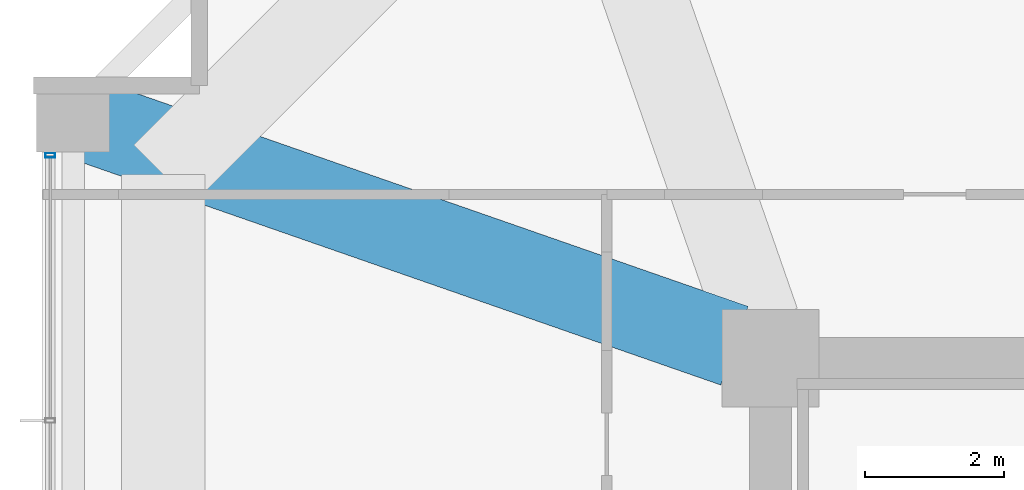
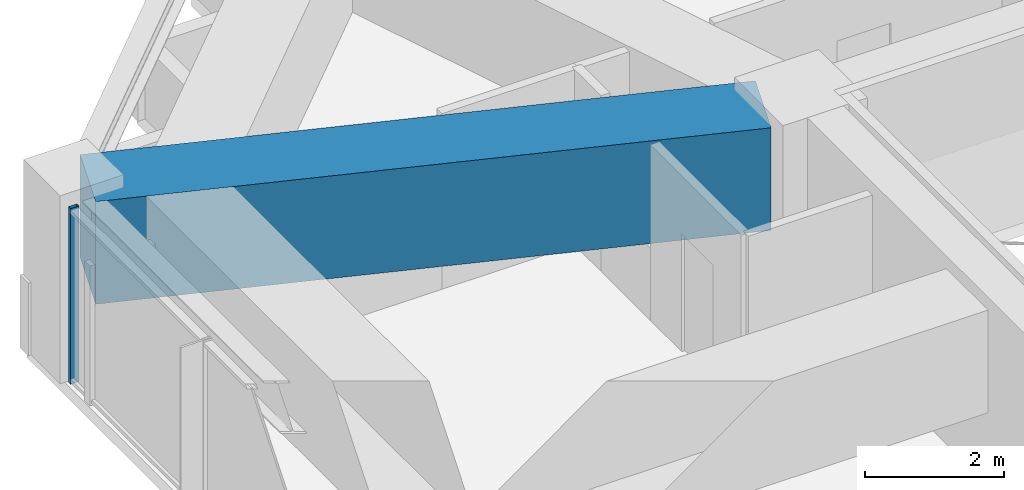
# One storey, part 17 of 34: 1 beam, 1 member, 1 element without a shape of its own.
"""IFC4 building model written with IfcOpenShell, lengths in metres."""

from ifc_helpers import new_model, si_unit, direction, frame, origin, origin_2d, place, context, subcontext, project, spatial, rectangle, hollow_rectangle, extrude, material, material_profile, profile_set, type_object, element, aggregate, save


model = new_model("IFC4")

# Units and contexts
model_context = context("Model", 3, precision=1e-05, world=origin(), true_north=direction((0.0, 1.0)))
body_context = subcontext(model_context, "Body", "Model", "MODEL_VIEW")
ifc_project = project(units=[si_unit("LENGTHUNIT", "METRE"), si_unit("AREAUNIT", "SQUARE_METRE"), si_unit("VOLUMEUNIT", "CUBIC_METRE"), si_unit("PLANEANGLEUNIT", "RADIAN"), si_unit("MASSUNIT", "GRAM", prefix="KILO")], contexts=[model_context])

# Site, building, storey
site_placement = place(None, origin())
site = spatial("IfcSite", under=ifc_project, at=site_placement, CompositionType="ELEMENT")
building_placement = place(site_placement, origin())
building = spatial("IfcBuilding", under=site, at=building_placement, Name="Kolvaren Belvedere", CompositionType="ELEMENT")
storey_placement = place(building_placement, frame((0.0, 0.0, 105.199951171875)))
storey = spatial("IfcBuildingStorey", under=building, at=storey_placement, Name="L30", CompositionType="ELEMENT", Elevation=105.199951171875)

# Beam
ifc_material_1 = material(Name="Concrete C50/60", Category="concrete")
ifc_material_profile_1 = material_profile(ifc_material_1, rectangle(XDim=1.199951171875, YDim=1.800048828125, at=origin_2d()), Name="RC 1200X1800")
ifc_profile_set_1 = profile_set([ifc_material_profile_1], Name="Concrete C50/60")
beam_type = type_object("IfcBeamType", Name="BM-TG-1800", PredefinedType="BEAM", material=ifc_profile_set_1)
beam_placement = place(storey_placement, frame((-10.41943359375, 10.080810546875, 2.179931640625), z_axis=(-0.944371408538, 0.328880894453, 0.0), x_axis=(-0.328880894453, -0.944371408538, 0.0)))
element("IfcBeam", 1, at=beam_placement, inside=storey, type_object=beam_type, Name="L30 Corner Core-to-Perimeter Girder CC4-W4", PredefinedType="BEAM", context=body_context, shape_type="SweptSolid", body=[
    extrude(rectangle(XDim=1.199951171875, YDim=1.800048828125, at=origin_2d()), origin(), (0.0, 0.0, 1.0), 9.882080078125),
])

# Curtain wall, member
ifc_material_2 = material(Name="Anodised pale-metal aluminium AA 6063-T6", Category="aluminium")
curtain_wall_type = type_object("IfcCurtainWallType", Name="CW-Z2-MID", PredefinedType="NOTDEFINED", material=ifc_material_2)
curtain_wall_placement = place(storey_placement, origin())
curtain_wall = element("IfcCurtainWall", 2, at=curtain_wall_placement, inside=storey, type_object=curtain_wall_type, Name="L30 Unitised Curtain Wall FCW-L30-W-B3", PredefinedType="NOTDEFINED")
ifc_material_3 = material(Name="Anodised pale-metal aluminium AA 6063-T6", Category="aluminium")
ifc_material_profile_2 = material_profile(ifc_material_3, hollow_rectangle(XDim=0.06494140625, YDim=0.139892578125, WallThickness=0.00390625, at=origin_2d()), Name="ALU-MUL-140X65")
ifc_profile_set_2 = profile_set([ifc_material_profile_2], Name="Anodised pale-metal aluminium AA 6063-T6")
member_type = type_object("IfcMemberType", Name="CW-MUL-140", PredefinedType="MULLION", material=ifc_profile_set_2)
member_placement = place(storey_placement, frame((-20.280029296875, 12.822509765625, 0.0), z_axis=(0.0, 0.0, 1.0), x_axis=(0.0, 1.0, 0.0)))
member = element("IfcMember", 3, at=member_placement, type_object=member_type, Name="FCW-L30-W-B3 Unitised Mullion 3", PredefinedType="MULLION", context=body_context, shape_type="SweptSolid", body=[
    extrude(hollow_rectangle(XDim=0.06494140625, YDim=0.139892578125, WallThickness=0.00390625, at=origin_2d()), origin(), (0.0, 0.0, 1.0), 3.080078125),
])
aggregate(curtain_wall, [member])

save(model, "model.ifc")
